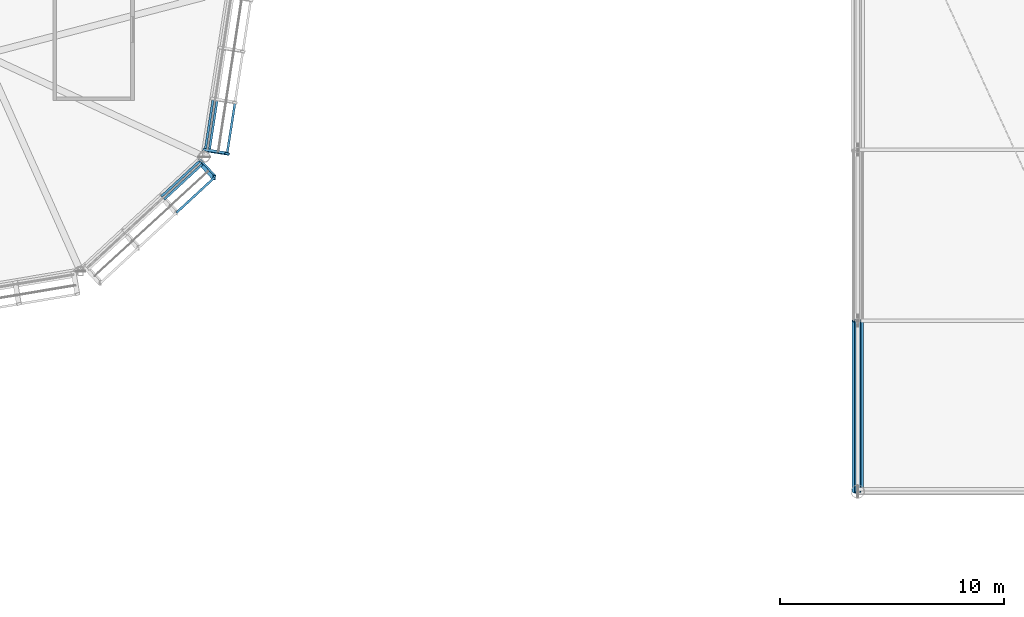
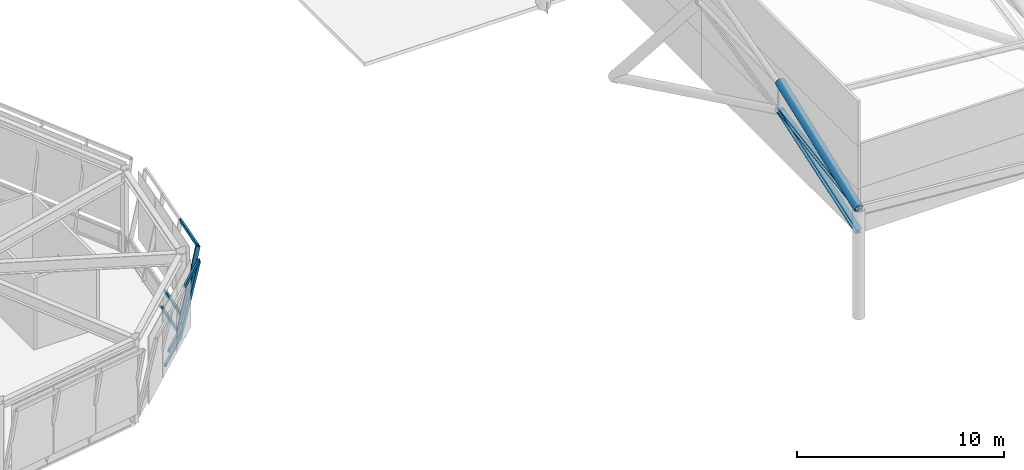
# One storey, part 23 of 113: 11 members, 2 elements without a shape of their own.
"""IFC4 building model written with IfcOpenShell, lengths in metres."""

from ifc_helpers import new_model, si_unit, direction, frame, origin, origin_2d, place, context, subcontext, project, spatial, hollow_rectangle, hollow_circle, i_section, extrude, material, material_profile, profile_set, type_object, element, aggregate, save


model = new_model("IFC4")

# Units and contexts
model_context = context("Model", 3, precision=1e-05, world=origin(), true_north=direction((0.0, 1.0)))
body_context = subcontext(model_context, "Body", "Model", "MODEL_VIEW")
ifc_project = project(units=[si_unit("LENGTHUNIT", "METRE"), si_unit("AREAUNIT", "SQUARE_METRE"), si_unit("VOLUMEUNIT", "CUBIC_METRE"), si_unit("PLANEANGLEUNIT", "RADIAN"), si_unit("MASSUNIT", "GRAM", prefix="KILO")], contexts=[model_context])

# Site, building, storey
site_placement = place(None, origin())
site = spatial("IfcSite", under=ifc_project, at=site_placement, CompositionType="ELEMENT")
building_placement = place(site_placement, origin())
building = spatial("IfcBuilding", under=site, at=building_placement, Name="Linyun Crest Stadium", CompositionType="ELEMENT")
storey_placement = place(building_placement, frame((0.0, 0.0, 26.39990234375)))
storey = spatial("IfcBuildingStorey", under=building, at=storey_placement, Name="L06", CompositionType="ELEMENT", Elevation=26.39990234375)

# Curtain wall, member
ifc_material_1 = material(Name="Verdigris steel and low-E curtain wall assembly", Category="steel")
curtain_wall_type = type_object("IfcCurtainWallType", Name="MCW04", PredefinedType="NOTDEFINED", material=ifc_material_1)
curtain_wall_1_placement = place(storey_placement, origin())
curtain_wall_1 = element("IfcCurtainWall", 1, at=curtain_wall_1_placement, inside=storey, type_object=curtain_wall_type, Name="CWR-025", PredefinedType="NOTDEFINED")
ifc_material_2 = material(Name="Verdigris painted steel Q355C pod mullion", Category="steel")
ifc_material_profile_1 = material_profile(ifc_material_2, hollow_rectangle(XDim=0.1201171875, YDim=0.219970703125, WallThickness=0.008056640625, at=origin_2d()), Name="RHS 220x120x8")
ifc_profile_set_1 = profile_set([ifc_material_profile_1], Name="Verdigris painted steel Q355C pod mullion")
member_type_1 = type_object("IfcMemberType", Name="ML04", PredefinedType="MULLION", material=ifc_profile_set_1)
member_1_placement = place(storey_placement, frame((-57.118896484375, 76.237060546875, 0.0), z_axis=(0.196953878333, -0.030274090271, 0.979945227688), x_axis=(-0.297501139584, -0.954240107788, 0.030313175927)))
member_1 = element("IfcMember", 2, at=member_1_placement, type_object=member_type_1, Name="CWR-025 mullion 1", PredefinedType="MULLION", context=body_context, shape_type="SweptSolid", body=[
    extrude(hollow_rectangle(XDim=0.1201171875, YDim=0.219970703125, WallThickness=0.008056640625, at=origin_2d()), origin(), (0.0, 0.0, 1.0), 4.95947265625),
])

curtain_wall_2_placement = place(storey_placement, origin())
curtain_wall_2 = element("IfcCurtainWall", 3, at=curtain_wall_2_placement, inside=storey, type_object=curtain_wall_type, Name="CWR-036", PredefinedType="NOTDEFINED")
member_2_placement = place(storey_placement, frame((-57.385009765625, 75.736083984375, 0.0), z_axis=(0.135271864626, -0.146396843303, 0.979933409427), x_axis=(-0.986900996133, 0.06784214931, 0.146368940042)))
member_2 = element("IfcMember", 4, at=member_2_placement, type_object=member_type_1, Name="CWR-036 mullion 4", PredefinedType="MULLION", context=body_context, shape_type="SweptSolid", body=[
    extrude(hollow_rectangle(XDim=0.1201171875, YDim=0.219970703125, WallThickness=0.008056640625, at=origin_2d()), origin(), (0.0, 0.0, 1.0), 4.959716796875),
])

# Members
ifc_material_3 = material(Name="Steel Q420C", Category="steel")
ifc_material_profile_2 = material_profile(ifc_material_3, hollow_circle(Radius=0.25390625, WallThickness=0.02490234375, at=origin_2d()), Name="CHS 508x25")
ifc_profile_set_2 = profile_set([ifc_material_profile_2], Name="Steel Q420C")
member_type_2 = type_object("IfcMemberType", Name="TC01", PredefinedType="CHORD", material=ifc_profile_set_2)
member_3_placement = place(storey_placement, frame((-28.0, 68.625, 9.22705078125), z_axis=(0.0, -0.935736842914, -0.352698966278), x_axis=(1.0, 0.0, 0.0)))
element("IfcMember", 5, at=member_3_placement, inside=storey, type_object=member_type_2, Name="Roof truss top chord TC01 V3 374", PredefinedType="CHORD", context=body_context, shape_type="SweptSolid", body=[
    extrude(hollow_circle(Radius=0.25390625, WallThickness=0.02490234375, at=origin_2d()), origin(), (0.0, 0.0, 1.0), 8.148681640625),
])
ifc_material_4 = material(Name="Steel Q355C", Category="steel")
ifc_material_profile_3 = material_profile(ifc_material_4, i_section(OverallWidth=0.300048828125, OverallDepth=0.300048828125, WebThickness=0.010009765625, FlangeThickness=0.014892578125, at=origin_2d()), Name="HW 300x300")
ifc_profile_set_3 = profile_set([ifc_material_profile_3], Name="Steel Q355C")
member_type_3 = type_object("IfcMemberType", Name="TC03", PredefinedType="CHORD", material=ifc_profile_set_3)
member_4_placement = place(storey_placement, frame((-28.0, 68.625, 7.56298828125), z_axis=(0.0, -0.94792179259, -0.318503179157), x_axis=(1.0, 0.0, 0.0)))
element("IfcMember", 6, at=member_4_placement, inside=storey, type_object=member_type_3, Name="Roof truss bottom chord TC03 V3 375", PredefinedType="CHORD", context=body_context, shape_type="SweptSolid", body=[
    extrude(i_section(OverallWidth=0.300048828125, OverallDepth=0.300048828125, WebThickness=0.010009765625, FlangeThickness=0.014892578125, at=origin_2d()), origin(), (0.0, 0.0, 1.0), 8.0439453125),
])
ifc_material_5 = material(Name="Steel Q355C", Category="steel")
ifc_material_profile_4 = material_profile(ifc_material_5, i_section(OverallWidth=0.25, OverallDepth=0.25, WebThickness=0.009033203125, FlangeThickness=0.013916015625, at=origin_2d()), Name="HW 250x250")
ifc_profile_set_4 = profile_set([ifc_material_profile_4], Name="Steel Q355C")
member_type_4 = type_object("IfcMemberType", Name="TD04", PredefinedType="BRACE", material=ifc_profile_set_4)
member_5_placement = place(storey_placement, frame((-28.0, 68.625, 7.56298828125), z_axis=(0.0, -0.987642677341, -0.156722499645), x_axis=(1.0, 0.0, 0.0)))
element("IfcMember", 7, at=member_5_placement, inside=storey, type_object=member_type_4, Name="Roof truss diagonal TD04 V3 376", PredefinedType="BRACE", context=body_context, shape_type="SweptSolid", body=[
    extrude(i_section(OverallWidth=0.25, OverallDepth=0.25, WebThickness=0.009033203125, FlangeThickness=0.013916015625, at=origin_2d()), origin(), (0.0, 0.0, 1.0), 7.720458984375),
])

# Member
ifc_material_6 = material(Name="Verdigris painted steel Q355C transom", Category="steel")
ifc_material_profile_5 = material_profile(ifc_material_6, hollow_rectangle(XDim=0.10009765625, YDim=0.199951171875, WallThickness=0.008056640625, at=origin_2d()), Name="RHS 200x100x8")
ifc_profile_set_5 = profile_set([ifc_material_profile_5], Name="Verdigris painted steel Q355C transom")
member_type_5 = type_object("IfcMemberType", Name="TR03", PredefinedType="USERDEFINED", material=ifc_profile_set_5)
member_6_placement = place(storey_placement, frame((-57.118896484375, 76.237060546875, 0.0), z_axis=(0.152144700169, 0.988358229697, 0.0), x_axis=(-0.988358229697, 0.152144700169, 0.0)))
member_6 = element("IfcMember", 8, at=member_6_placement, type_object=member_type_5, Name="CWR-025 transom 1.1", ObjectType="TRANSOM", PredefinedType="USERDEFINED", context=body_context, shape_type="SweptSolid", body=[
    extrude(hollow_rectangle(XDim=0.10009765625, YDim=0.199951171875, WallThickness=0.008056640625, at=origin_2d()), origin(), (0.0, 0.0, 1.0), 2.305908203125),
])

member_7_placement = place(storey_placement, frame((-56.93798828125, 76.208984375, 0.900146484375), z_axis=(0.152248123454, 0.988342303509, 0.0), x_axis=(-0.988342303509, 0.152248123454, 0.0)))
member_7 = element("IfcMember", 9, at=member_7_placement, type_object=member_type_5, Name="CWR-025 transom 1.2", ObjectType="TRANSOM", PredefinedType="USERDEFINED", context=body_context, shape_type="SweptSolid", body=[
    extrude(hollow_rectangle(XDim=0.10009765625, YDim=0.199951171875, WallThickness=0.008056640625, at=origin_2d()), origin(), (0.0, 0.0, 1.0), 2.305908203125),
])

member_8_placement = place(storey_placement, frame((-56.14208984375, 76.0869140625, 4.860107421875), z_axis=(0.152248123454, 0.988342303509, 0.0), x_axis=(-0.988342303509, 0.152248123454, 0.0)))
member_8 = element("IfcMember", 10, at=member_8_placement, type_object=member_type_5, Name="CWR-025 transom 1.3", ObjectType="TRANSOM", PredefinedType="USERDEFINED", context=body_context, shape_type="SweptSolid", body=[
    extrude(hollow_rectangle(XDim=0.10009765625, YDim=0.199951171875, WallThickness=0.008056640625, at=origin_2d()), origin(), (0.0, 0.0, 1.0), 2.305908203125),
])

aggregate(curtain_wall_1, [member_1, member_6, member_7, member_8])

member_9_placement = place(storey_placement, frame((-59.0791015625, 74.169921875, 0.0), z_axis=(0.734287991916, 0.678838084471, 0.0), x_axis=(-0.678838084471, 0.734287991916, 0.0)))
member_9 = element("IfcMember", 11, at=member_9_placement, type_object=member_type_5, Name="CWR-036 transom 3.1", ObjectType="TRANSOM", PredefinedType="USERDEFINED", context=body_context, shape_type="SweptSolid", body=[
    extrude(hollow_rectangle(XDim=0.10009765625, YDim=0.199951171875, WallThickness=0.008056640625, at=origin_2d()), origin(), (0.0, 0.0, 1.0), 2.30712890625),
])

member_10_placement = place(storey_placement, frame((-58.955078125, 74.035888671875, 0.900146484375), z_axis=(0.734287991916, 0.678838084471, 0.0), x_axis=(-0.678838084471, 0.734287991916, 0.0)))
member_10 = element("IfcMember", 12, at=member_10_placement, type_object=member_type_5, Name="CWR-036 transom 3.2", ObjectType="TRANSOM", PredefinedType="USERDEFINED", context=body_context, shape_type="SweptSolid", body=[
    extrude(hollow_rectangle(XDim=0.10009765625, YDim=0.199951171875, WallThickness=0.008056640625, at=origin_2d()), origin(), (0.0, 0.0, 1.0), 2.30712890625),
])

member_11_placement = place(storey_placement, frame((-58.407958984375, 73.444091796875, 4.860107421875), z_axis=(0.73429197574, 0.678833775208, 0.0), x_axis=(-0.678833775208, 0.73429197574, 0.0)))
member_11 = element("IfcMember", 13, at=member_11_placement, type_object=member_type_5, Name="CWR-036 transom 3.3", ObjectType="TRANSOM", PredefinedType="USERDEFINED", context=body_context, shape_type="SweptSolid", body=[
    extrude(hollow_rectangle(XDim=0.10009765625, YDim=0.199951171875, WallThickness=0.008056640625, at=origin_2d()), origin(), (0.0, 0.0, 1.0), 2.306884765625),
])

aggregate(curtain_wall_2, [member_2, member_9, member_10, member_11])

save(model, "model.ifc")
